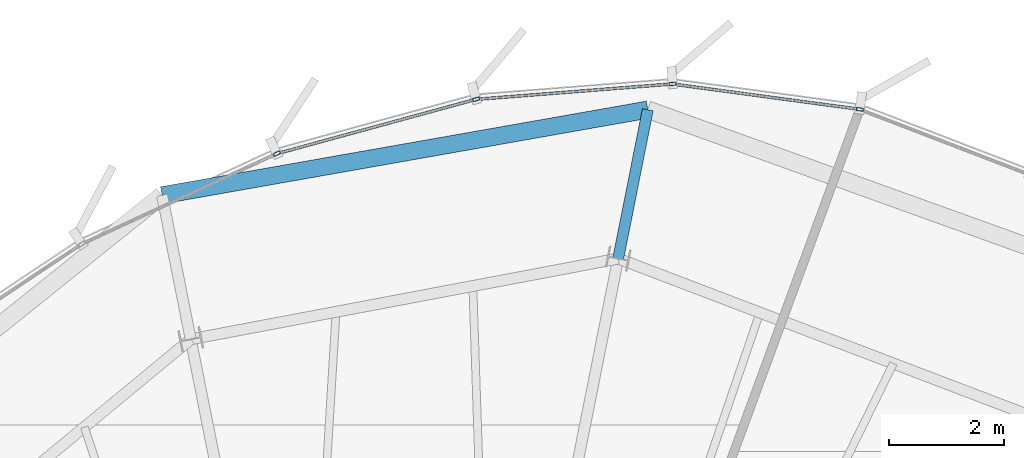
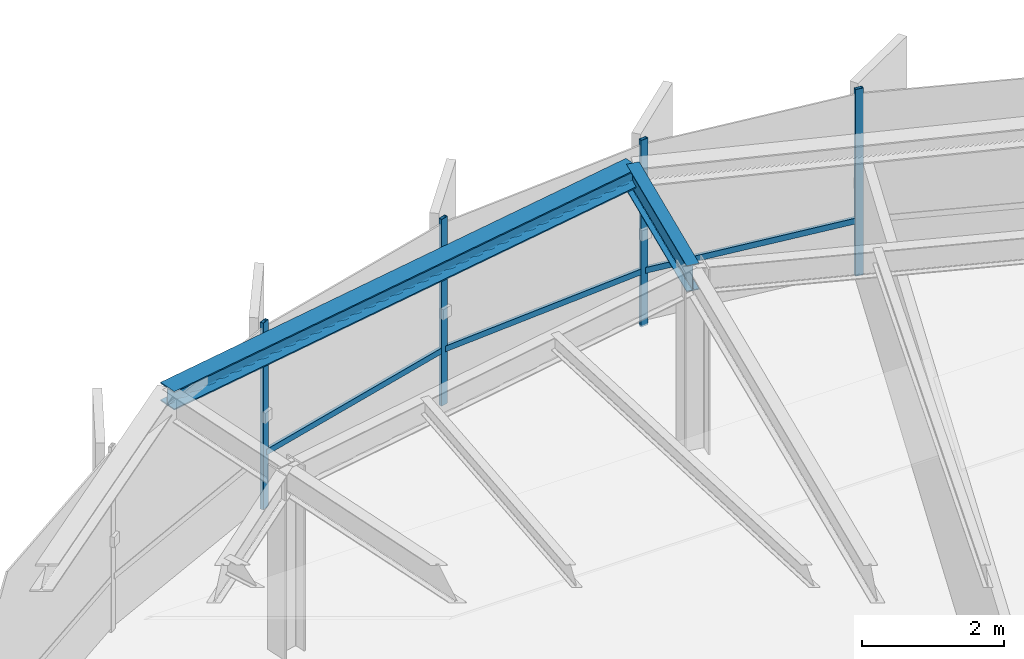
# One storey, part 21 of 31: 7 members, 2 beams, 1 element without a shape of its own.
"""IFC4 building model written with IfcOpenShell, lengths in metres."""

from ifc_helpers import new_model, si_unit, direction, frame, origin, origin_2d, place, context, subcontext, project, spatial, hollow_rectangle, i_section, extrude, source, transform, mapped, material, layer, layer_set, material_profile, profile_set, type_object, element, aggregate, save


model = new_model("IFC4")

# Units and contexts
model_context = context("Model", 3, precision=1e-05, world=origin(), true_north=direction((0.0, 1.0)))
body_context = subcontext(model_context, "Body", "Model", "MODEL_VIEW")
ifc_project = project(units=[si_unit("LENGTHUNIT", "METRE"), si_unit("AREAUNIT", "SQUARE_METRE"), si_unit("VOLUMEUNIT", "CUBIC_METRE"), si_unit("PLANEANGLEUNIT", "RADIAN"), si_unit("MASSUNIT", "GRAM", prefix="KILO"), si_unit("THERMODYNAMICTEMPERATUREUNIT", "KELVIN")], contexts=[model_context])

# Site, building, storey
site_placement = place(None, origin())
site = spatial("IfcSite", under=ifc_project, at=site_placement, CompositionType="ELEMENT")
building_placement = place(site_placement, origin())
building = spatial("IfcBuilding", under=site, at=building_placement, Name="Kethvar Cultural Tower", CompositionType="ELEMENT")
storey_placement = place(building_placement, frame((0.0, 0.0, 283.60009765625)))
storey = spatial("IfcBuildingStorey", under=building, at=storey_placement, Name="L75", CompositionType="ELEMENT", Elevation=283.60009765625)

# Beams
ifc_material_1 = material(Name="Steel S355J2", Category="steel")
ifc_material_profile_1 = material_profile(ifc_material_1, i_section(OverallWidth=0.18994140625, OverallDepth=0.449951171875, WebThickness=0.009521484375, FlangeThickness=0.0146484375, FilletRadius=0.02099609375, at=origin_2d()), Name="Steel S355J2 — IPE450")
ifc_profile_set_1 = profile_set([ifc_material_profile_1], Name="Steel S355J2 — IPE450")
beam_type_1 = type_object("IfcBeamType", Name="BM-IPE450", PredefinedType="BEAM", material=ifc_profile_set_1)
shared_shape_1 = source(origin(), body_context, "Body", "SweptSolid", [
    extrude(i_section(OverallWidth=0.18994140625, OverallDepth=0.449951171875, WebThickness=0.009521484375, FlangeThickness=0.0146484375, FilletRadius=0.02099609375, at=origin_2d()), origin(), (0.0, 0.0, 1.0), 2.6328125),
])
beam_1_placement = place(storey_placement, frame((50.645263671875, 47.131591796875, 2.98291015625), z_axis=(0.19509958888, 0.980783437064, 0.0), x_axis=(-0.980783437064, 0.19509958888, 0.0)))
element("IfcBeam", 1, at=beam_1_placement, inside=storey, type_object=beam_type_1, Name="L75 Perimeter Cantilever Beam RC-04", PredefinedType="BEAM", context=body_context, shape_type="MappedRepresentation", body=[
    mapped(shared_shape_1, transform((0.0, 0.0, 0.0), scale=1.0)),
])
ifc_material_profile_2 = material_profile(ifc_material_1, i_section(OverallWidth=0.300048828125, OverallDepth=0.320068359375, WebThickness=0.011474609375, FlangeThickness=0.0205078125, FilletRadius=0.027099609375, at=origin_2d()), Name="Steel S355J2 — HEB320")
ifc_profile_set_2 = profile_set([ifc_material_profile_2], Name="Steel S355J2 — HEB320")
beam_type_2 = type_object("IfcBeamType", Name="BM-SP320", PredefinedType="SPANDREL", material=ifc_profile_set_2)
shared_shape_2 = source(origin(), body_context, "Body", "SweptSolid", [
    extrude(i_section(OverallWidth=0.300048828125, OverallDepth=0.320068359375, WebThickness=0.011474609375, FlangeThickness=0.0205078125, FilletRadius=0.027099609375, at=origin_2d()), origin(), (0.0, 0.0, 1.0), 8.552490234375),
])
beam_2_placement = place(storey_placement, frame((51.158935546875, 49.7138671875, 3.0478515625), z_axis=(-0.984813144386, -0.173617598891, 0.0), x_axis=(0.173617598891, -0.984813144386, 0.0)))
element("IfcBeam", 2, at=beam_2_placement, inside=storey, type_object=beam_type_2, Name="L75 Perimeter Spandrel Beam SP-04", PredefinedType="SPANDREL", context=body_context, shape_type="MappedRepresentation", body=[
    mapped(shared_shape_2, transform((0.0, 0.0, 0.0), scale=1.0)),
])

# Curtain wall, members
ifc_material_2 = material(Name="Aluminium 6063-T6", Category="aluminium")
ifc_layer = layer(ifc_material_2, 0.179931640625, Name="Aluminium 6063-T6", Category="aluminium")
ifc_layer_set = layer_set([ifc_layer], Name="Aluminium 6063-T6 (180 mm)")
curtain_wall_type = type_object("IfcCurtainWallType", Name="CW-SYS-05-Z56", PredefinedType="NOTDEFINED", material=ifc_layer_set)
curtain_wall_placement = place(storey_placement, origin())
curtain_wall = element("IfcCurtainWall", 3, at=curtain_wall_placement, inside=storey, type_object=curtain_wall_type, Name="L75 Curtain Wall Run 01", PredefinedType="NOTDEFINED")
ifc_material_profile_3 = material_profile(ifc_material_2, hollow_rectangle(XDim=0.054931640625, YDim=0.1201171875, WallThickness=0.00390625, at=origin_2d()), Name="Aluminium 6063-T6 — RHS120x55x4")
ifc_profile_set_3 = profile_set([ifc_material_profile_3], Name="Aluminium 6063-T6 — RHS120x55x4")
member_type_1 = type_object("IfcMemberType", Name="CW-SYS-05-Z56-MUL", PredefinedType="MULLION", material=ifc_profile_set_3)
shared_shape_3 = source(origin(), body_context, "Body", "SweptSolid", [
    extrude(hollow_rectangle(XDim=0.054931640625, YDim=0.1201171875, WallThickness=0.00390625, at=origin_2d()), origin(), (0.0, 0.0, 1.0), 3.2099609375),
])
member_1_placement = place(storey_placement, frame((54.8349609375, 49.719482421875, 0.0), z_axis=(0.0, 0.0, 1.0), x_axis=(-0.133761335016, -0.991013574708, 0.0)))
member_1 = element("IfcMember", 4, at=member_1_placement, type_object=member_type_1, Name="CW-L75-R01 Mullion 2", PredefinedType="MULLION", context=body_context, shape_type="MappedRepresentation", body=[
    mapped(shared_shape_3, transform((0.0, 0.0, 0.0), scale=1.0)),
])
member_2_placement = place(storey_placement, frame((51.589599609375, 50.159912109375, 0.0), z_axis=(0.0, 0.0, 1.0), x_axis=(0.078128501113, -0.99694329694, 0.0)))
member_2 = element("IfcMember", 5, at=member_2_placement, type_object=member_type_1, Name="CW-L75-R01 Mullion 3", PredefinedType="MULLION", context=body_context, shape_type="MappedRepresentation", body=[
    mapped(shared_shape_3, transform((0.0, 0.0, 0.0), scale=1.0)),
])
member_3_placement = place(storey_placement, frame((48.181884765625, 49.89453125, 0.0), z_axis=(0.0, 0.0, 1.0), x_axis=(0.263570012299, -0.964640269021, 0.0)))
member_3 = element("IfcMember", 6, at=member_3_placement, type_object=member_type_1, Name="CW-L75-R01 Mullion 4", PredefinedType="MULLION", context=body_context, shape_type="MappedRepresentation", body=[
    mapped(shared_shape_3, transform((0.0, 0.0, 0.0), scale=1.0)),
])
member_4_placement = place(storey_placement, frame((44.727294921875, 48.9521484375, 0.0), z_axis=(0.0, 0.0, 1.0), x_axis=(0.420719169633, -0.907190928252, 0.0)))
member_4 = element("IfcMember", 7, at=member_4_placement, type_object=member_type_1, Name="CW-L75-R01 Mullion 5", PredefinedType="MULLION", context=body_context, shape_type="MappedRepresentation", body=[
    mapped(shared_shape_3, transform((0.0, 0.0, 0.0), scale=1.0)),
])
ifc_material_profile_4 = material_profile(ifc_material_2, hollow_rectangle(XDim=0.050048828125, YDim=0.10009765625, WallThickness=0.00390625, at=origin_2d()), Name="Aluminium 6063-T6 — RHS100x50x4")
ifc_profile_set_4 = profile_set([ifc_material_profile_4], Name="Aluminium 6063-T6 — RHS100x50x4")
member_type_2 = type_object("IfcMemberType", Name="CW-SYS-05-Z56-TRN", PredefinedType="USERDEFINED", material=ifc_profile_set_4)
shared_shape_4 = source(origin(), body_context, "Body", "SweptSolid", [
    extrude(hollow_rectangle(XDim=0.050048828125, YDim=0.10009765625, WallThickness=0.00390625, at=origin_2d()), origin(), (0.0, 0.0, 1.0), 3.217041015625),
])
member_5_placement = place(storey_placement, frame((54.7958984375, 49.724853515625, 0.949951171875), z_axis=(-0.991019901195, 0.133714454851, 0.0), x_axis=(-0.133714454851, -0.991019901195, 0.0)))
member_5 = element("IfcMember", 8, at=member_5_placement, type_object=member_type_2, Name="CW-L75-R01 Transom 2", ObjectType="TRANSOM", PredefinedType="USERDEFINED", context=body_context, shape_type="MappedRepresentation", body=[
    mapped(shared_shape_4, transform((0.0, 0.0, 0.0), scale=1.0)),
])
shared_shape_5 = source(origin(), body_context, "Body", "SweptSolid", [
    extrude(hollow_rectangle(XDim=0.050048828125, YDim=0.10009765625, WallThickness=0.00390625, at=origin_2d()), origin(), (0.0, 0.0, 1.0), 3.357421875),
])
member_6_placement = place(storey_placement, frame((51.550048828125, 50.15673828125, 0.949951171875), z_axis=(-0.996940044753, -0.078169988921, 0.0), x_axis=(0.078169988921, -0.996940044753, 0.0)))
member_6 = element("IfcMember", 9, at=member_6_placement, type_object=member_type_2, Name="CW-L75-R01 Transom 3", ObjectType="TRANSOM", PredefinedType="USERDEFINED", context=body_context, shape_type="MappedRepresentation", body=[
    mapped(shared_shape_5, transform((0.0, 0.0, 0.0), scale=1.0)),
])
shared_shape_6 = source(origin(), body_context, "Body", "SweptSolid", [
    extrude(hollow_rectangle(XDim=0.050048828125, YDim=0.10009765625, WallThickness=0.00390625, at=origin_2d()), origin(), (0.0, 0.0, 1.0), 3.518310546875),
])
member_7_placement = place(storey_placement, frame((48.143798828125, 49.884033203125, 0.949951171875), z_axis=(-0.964648435822, -0.263540120792, 0.0), x_axis=(0.263540120792, -0.964648435822, 0.0)))
member_7 = element("IfcMember", 10, at=member_7_placement, type_object=member_type_2, Name="CW-L75-R01 Transom 4", ObjectType="TRANSOM", PredefinedType="USERDEFINED", context=body_context, shape_type="MappedRepresentation", body=[
    mapped(shared_shape_6, transform((0.0, 0.0, 0.0), scale=1.0)),
])
aggregate(curtain_wall, [member_1, member_2, member_3, member_4, member_5, member_6, member_7])

save(model, "model.ifc")
